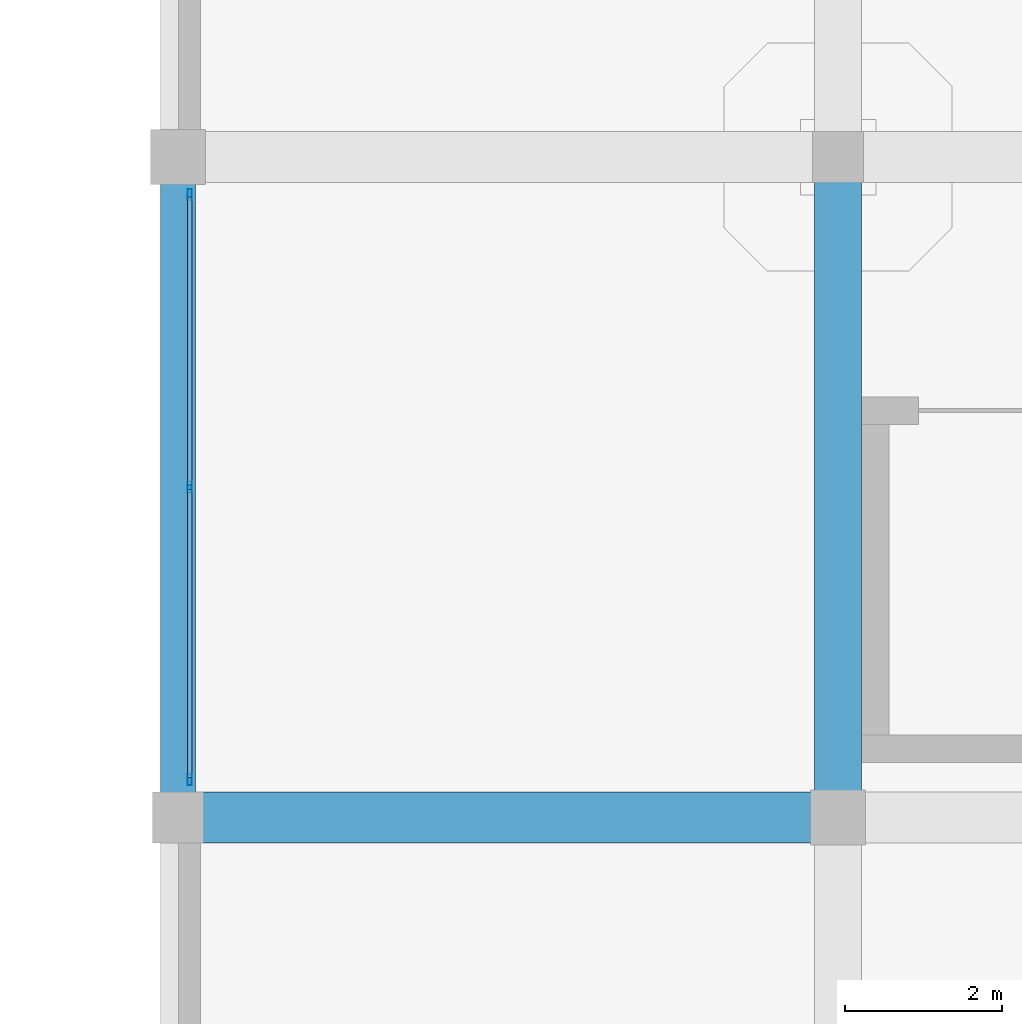
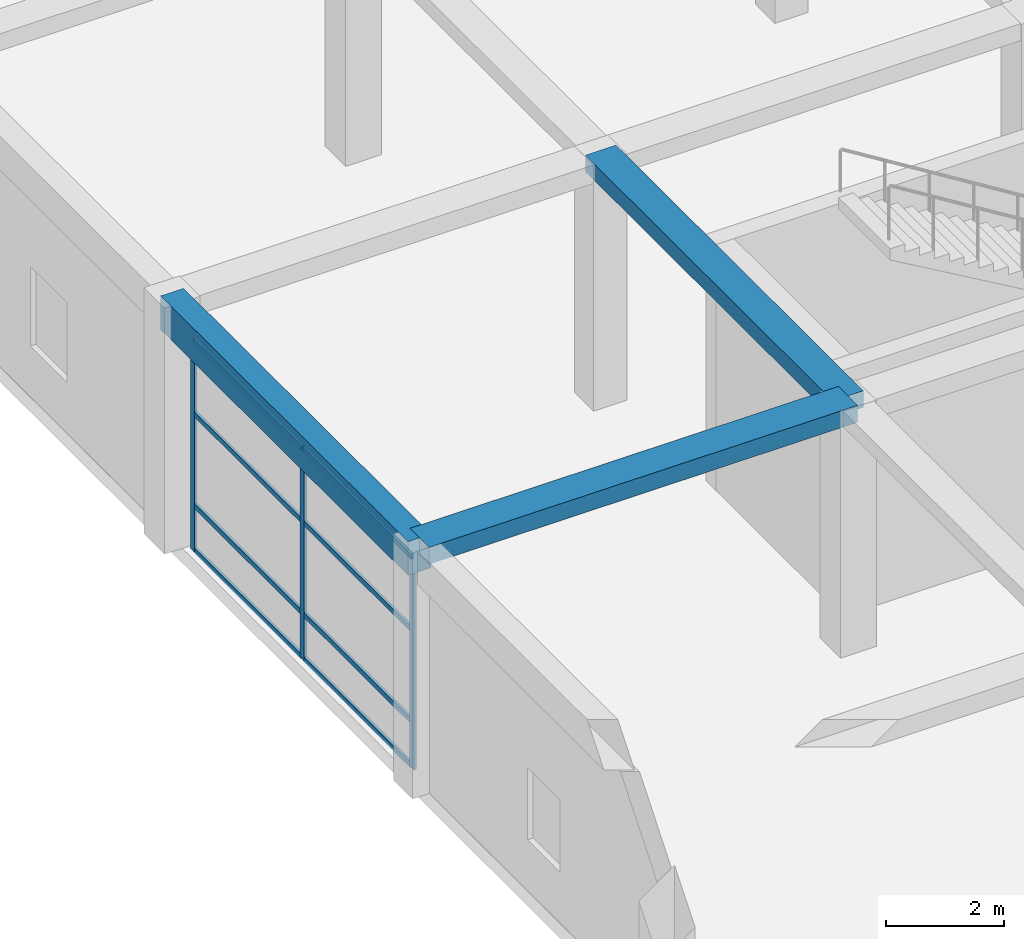
# One storey, part 33 of 96: 11 members, 3 beams, 1 element without a shape of its own.
"""IFC4 building model written with IfcOpenShell, lengths in metres."""

from ifc_helpers import new_model, si_unit, direction, frame, origin, origin_2d, place, context, subcontext, project, spatial, rectangle, hollow_rectangle, extrude, material, material_profile, profile_set, type_object, element, aggregate, save


model = new_model("IFC4")

# Units and contexts
model_context = context("Model", 3, precision=1e-05, world=origin(), true_north=direction((0.0, 1.0)))
body_context = subcontext(model_context, "Body", "Model", "MODEL_VIEW")
ifc_project = project(units=[si_unit("LENGTHUNIT", "METRE"), si_unit("AREAUNIT", "SQUARE_METRE"), si_unit("VOLUMEUNIT", "CUBIC_METRE"), si_unit("PLANEANGLEUNIT", "RADIAN"), si_unit("MASSUNIT", "GRAM", prefix="KILO")], contexts=[model_context])

# Site, building, storey
site_placement = place(None, origin())
site = spatial("IfcSite", under=ifc_project, at=site_placement, CompositionType="ELEMENT")
building_placement = place(site_placement, origin())
building = spatial("IfcBuilding", under=site, at=building_placement, Name="Almacenes y Pasaje Nevantli", CompositionType="ELEMENT")
storey_placement = place(building_placement, frame((0.0, 0.0, 6.0)))
storey = spatial("IfcBuildingStorey", under=building, at=storey_placement, Name="L02", CompositionType="ELEMENT", Elevation=6.0)

# Beams
ifc_material_1 = material(Name="Concrete C35/45", Category="concrete")
ifc_material_profile_1 = material_profile(ifc_material_1, rectangle(XDim=0.449951171875, YDim=0.699951171875, at=origin_2d()), Name="RC-BM-450x700")
ifc_profile_set_1 = profile_set([ifc_material_profile_1], Name="Concrete C35/45")
beam_type_1 = type_object("IfcBeamType", Name="BM-RC-450x700", PredefinedType="SPANDREL", material=ifc_profile_set_1)
beam_1_placement = place(storey_placement, frame((0.0, 92.39990234375, 4.75), z_axis=(0.0, 1.0, 0.0), x_axis=(-1.0, 0.0, 0.0)))
element("IfcBeam", 1, at=beam_1_placement, inside=storey, type_object=beam_type_1, Name="L02 North-South Reinforced Concrete Beam #1974", PredefinedType="SPANDREL", context=body_context, shape_type="SweptSolid", body=[
    extrude(rectangle(XDim=0.449951171875, YDim=0.699951171875, at=origin_2d()), origin(), (0.0, 0.0, 1.0), 8.400146484375),
])
ifc_material_2 = material(Name="Concrete C35/45", Category="concrete")
ifc_material_profile_2 = material_profile(ifc_material_2, rectangle(XDim=0.60009765625, YDim=0.340087890625, at=origin_2d()), Name="RC-BM-600x340")
ifc_profile_set_2 = profile_set([ifc_material_profile_2], Name="Concrete C35/45")
beam_type_2 = type_object("IfcBeamType", Name="BM-RC-600x340", PredefinedType="BEAM", material=ifc_profile_set_2)
beam_2_placement = place(storey_placement, frame((8.39990234375, 92.39990234375, 4.929931640625), z_axis=(0.0, 1.0, 0.0), x_axis=(-1.0, 0.0, 0.0)))
element("IfcBeam", 2, at=beam_2_placement, inside=storey, type_object=beam_type_2, Name="L02 North-South Reinforced Concrete Beam #1985", PredefinedType="BEAM", context=body_context, shape_type="SweptSolid", body=[
    extrude(rectangle(XDim=0.60009765625, YDim=0.340087890625, at=origin_2d()), origin(), (0.0, 0.0, 1.0), 8.400146484375),
])
ifc_material_3 = material(Name="Concrete C35/45", Category="concrete")
ifc_material_profile_3 = material_profile(ifc_material_3, rectangle(XDim=0.64990234375, YDim=0.35009765625, at=origin_2d()), Name="RC-BM-650x350")
ifc_profile_set_3 = profile_set([ifc_material_profile_3], Name="Concrete C35/45")
beam_type_3 = type_object("IfcBeamType", Name="BM-RC-650x350", PredefinedType="BEAM", material=ifc_profile_set_3)
beam_3_placement = place(storey_placement, frame((0.0, 92.39990234375, 4.925048828125), z_axis=(1.0, 0.0, 0.0), x_axis=(0.0, 1.0, 0.0)))
element("IfcBeam", 3, at=beam_3_placement, inside=storey, type_object=beam_type_3, Name="L02 East-West Reinforced Concrete Beam #1895", PredefinedType="BEAM", context=body_context, shape_type="SweptSolid", body=[
    extrude(rectangle(XDim=0.64990234375, YDim=0.35009765625, at=origin_2d()), origin(), (0.0, 0.0, 1.0), 8.39990234375),
])

# Curtain wall, members
ifc_material_4 = material(Name="Thermally Broken Aluminium and Low-E Glass", Category="aluminium")
curtain_wall_type = type_object("IfcCurtainWallType", Name="CW-UNIT-PODIUM", PredefinedType="USERDEFINED", material=ifc_material_4)
curtain_wall_placement = place(storey_placement, origin())
curtain_wall = element("IfcCurtainWall", 4, at=curtain_wall_placement, inside=storey, type_object=curtain_wall_type, Name="L02 West Avenue Unitized Curtain Wall Bay 12", ObjectType="UNITIZED CURTAIN WALL", PredefinedType="USERDEFINED")
ifc_material_5 = material(Name="Thermally Broken Anodized Aluminium", Category="aluminium")
ifc_material_profile_4 = material_profile(ifc_material_5, hollow_rectangle(XDim=0.054931640625, YDim=0.139892578125, WallThickness=0.00341796875, at=origin_2d()), Name="ALU-MUL-55x140")
ifc_profile_set_4 = profile_set([ifc_material_profile_4], Name="Thermally Broken Anodized Aluminium")
member_type_1 = type_object("IfcMemberType", Name="CW-MUL-160", PredefinedType="MULLION", material=ifc_profile_set_4)
member_1_placement = place(storey_placement, frame((0.14990234375, 92.87744140625, 0.0), z_axis=(0.0, 0.0, 1.0), x_axis=(-1.0, 0.0, 0.0)))
member_1 = element("IfcMember", 5, at=member_1_placement, type_object=member_type_1, Name="CW-L02-019 mullion 1", PredefinedType="MULLION", context=body_context, shape_type="SweptSolid", body=[
    extrude(hollow_rectangle(XDim=0.054931640625, YDim=0.139892578125, WallThickness=0.00341796875, at=origin_2d()), origin(), (0.0, 0.0, 1.0), 4.3798828125),
])
member_2_placement = place(storey_placement, frame((0.14990234375, 96.60009765625, 0.0), z_axis=(0.0, 0.0, 1.0), x_axis=(-1.0, 0.0, 0.0)))
member_2 = element("IfcMember", 6, at=member_2_placement, type_object=member_type_1, Name="CW-L02-019 mullion 2", PredefinedType="MULLION", context=body_context, shape_type="SweptSolid", body=[
    extrude(hollow_rectangle(XDim=0.054931640625, YDim=0.139892578125, WallThickness=0.00341796875, at=origin_2d()), origin(), (0.0, 0.0, 1.0), 4.3798828125),
])
member_3_placement = place(storey_placement, frame((0.14990234375, 100.322509765625, 0.0), z_axis=(0.0, 0.0, 1.0), x_axis=(-1.0, 0.0, 0.0)))
member_3 = element("IfcMember", 7, at=member_3_placement, type_object=member_type_1, Name="CW-L02-019 mullion 3", PredefinedType="MULLION", context=body_context, shape_type="SweptSolid", body=[
    extrude(hollow_rectangle(XDim=0.054931640625, YDim=0.139892578125, WallThickness=0.00341796875, at=origin_2d()), origin(), (0.0, 0.0, 1.0), 4.3798828125),
])
ifc_material_6 = material(Name="Thermally Broken Anodized Aluminium", Category="aluminium")
ifc_material_profile_5 = material_profile(ifc_material_6, hollow_rectangle(XDim=0.054931640625, YDim=0.10498046875, WallThickness=0.003173828125, at=origin_2d()), Name="ALU-TRN-55x105")
ifc_profile_set_5 = profile_set([ifc_material_profile_5], Name="Thermally Broken Anodized Aluminium")
member_type_2 = type_object("IfcMemberType", Name="CW-TRN-120", PredefinedType="USERDEFINED", material=ifc_profile_set_5)
member_4_placement = place(storey_placement, frame((0.14990234375, 92.905029296875, 0.027587890625), z_axis=(0.0, 1.0, 0.0), x_axis=(-1.0, 0.0, 0.0)))
member_4 = element("IfcMember", 8, at=member_4_placement, type_object=member_type_2, Name="CW-L02-019 transom 1.1", ObjectType="TRANSOM", PredefinedType="USERDEFINED", context=body_context, shape_type="SweptSolid", body=[
    extrude(hollow_rectangle(XDim=0.054931640625, YDim=0.10498046875, WallThickness=0.003173828125, at=origin_2d()), origin(), (0.0, 0.0, 1.0), 3.66748046875),
])
member_5_placement = place(storey_placement, frame((0.14990234375, 92.905029296875, 0.949951171875), z_axis=(0.0, 1.0, 0.0), x_axis=(-1.0, 0.0, 0.0)))
member_5 = element("IfcMember", 9, at=member_5_placement, type_object=member_type_2, Name="CW-L02-019 transom 1.2", ObjectType="TRANSOM", PredefinedType="USERDEFINED", context=body_context, shape_type="SweptSolid", body=[
    extrude(hollow_rectangle(XDim=0.054931640625, YDim=0.10498046875, WallThickness=0.003173828125, at=origin_2d()), origin(), (0.0, 0.0, 1.0), 3.66748046875),
])
member_6_placement = place(storey_placement, frame((0.14990234375, 92.905029296875, 2.85009765625), z_axis=(0.0, 1.0, 0.0), x_axis=(-1.0, 0.0, 0.0)))
member_6 = element("IfcMember", 10, at=member_6_placement, type_object=member_type_2, Name="CW-L02-019 transom 1.3", ObjectType="TRANSOM", PredefinedType="USERDEFINED", context=body_context, shape_type="SweptSolid", body=[
    extrude(hollow_rectangle(XDim=0.054931640625, YDim=0.10498046875, WallThickness=0.003173828125, at=origin_2d()), origin(), (0.0, 0.0, 1.0), 3.66748046875),
])
member_7_placement = place(storey_placement, frame((0.14990234375, 92.905029296875, 4.3525390625), z_axis=(0.0, 1.0, 0.0), x_axis=(-1.0, 0.0, 0.0)))
member_7 = element("IfcMember", 11, at=member_7_placement, type_object=member_type_2, Name="CW-L02-019 transom 1.4", ObjectType="TRANSOM", PredefinedType="USERDEFINED", context=body_context, shape_type="SweptSolid", body=[
    extrude(hollow_rectangle(XDim=0.054931640625, YDim=0.10498046875, WallThickness=0.003173828125, at=origin_2d()), origin(), (0.0, 0.0, 1.0), 3.66748046875),
])
member_8_placement = place(storey_placement, frame((0.14990234375, 96.62744140625, 0.027587890625), z_axis=(0.0, 1.0, 0.0), x_axis=(-1.0, 0.0, 0.0)))
member_8 = element("IfcMember", 12, at=member_8_placement, type_object=member_type_2, Name="CW-L02-019 transom 2.1", ObjectType="TRANSOM", PredefinedType="USERDEFINED", context=body_context, shape_type="SweptSolid", body=[
    extrude(hollow_rectangle(XDim=0.054931640625, YDim=0.10498046875, WallThickness=0.003173828125, at=origin_2d()), origin(), (0.0, 0.0, 1.0), 3.66748046875),
])
member_9_placement = place(storey_placement, frame((0.14990234375, 96.62744140625, 0.949951171875), z_axis=(0.0, 1.0, 0.0), x_axis=(-1.0, 0.0, 0.0)))
member_9 = element("IfcMember", 13, at=member_9_placement, type_object=member_type_2, Name="CW-L02-019 transom 2.2", ObjectType="TRANSOM", PredefinedType="USERDEFINED", context=body_context, shape_type="SweptSolid", body=[
    extrude(hollow_rectangle(XDim=0.054931640625, YDim=0.10498046875, WallThickness=0.003173828125, at=origin_2d()), origin(), (0.0, 0.0, 1.0), 3.66748046875),
])
member_10_placement = place(storey_placement, frame((0.14990234375, 96.62744140625, 2.85009765625), z_axis=(0.0, 1.0, 0.0), x_axis=(-1.0, 0.0, 0.0)))
member_10 = element("IfcMember", 14, at=member_10_placement, type_object=member_type_2, Name="CW-L02-019 transom 2.3", ObjectType="TRANSOM", PredefinedType="USERDEFINED", context=body_context, shape_type="SweptSolid", body=[
    extrude(hollow_rectangle(XDim=0.054931640625, YDim=0.10498046875, WallThickness=0.003173828125, at=origin_2d()), origin(), (0.0, 0.0, 1.0), 3.66748046875),
])
member_11_placement = place(storey_placement, frame((0.14990234375, 96.62744140625, 4.3525390625), z_axis=(0.0, 1.0, 0.0), x_axis=(-1.0, 0.0, 0.0)))
member_11 = element("IfcMember", 15, at=member_11_placement, type_object=member_type_2, Name="CW-L02-019 transom 2.4", ObjectType="TRANSOM", PredefinedType="USERDEFINED", context=body_context, shape_type="SweptSolid", body=[
    extrude(hollow_rectangle(XDim=0.054931640625, YDim=0.10498046875, WallThickness=0.003173828125, at=origin_2d()), origin(), (0.0, 0.0, 1.0), 3.66748046875),
])
aggregate(curtain_wall, [member_1, member_2, member_3, member_4, member_5, member_6, member_7, member_8, member_9, member_10, member_11])

save(model, "model.ifc")
